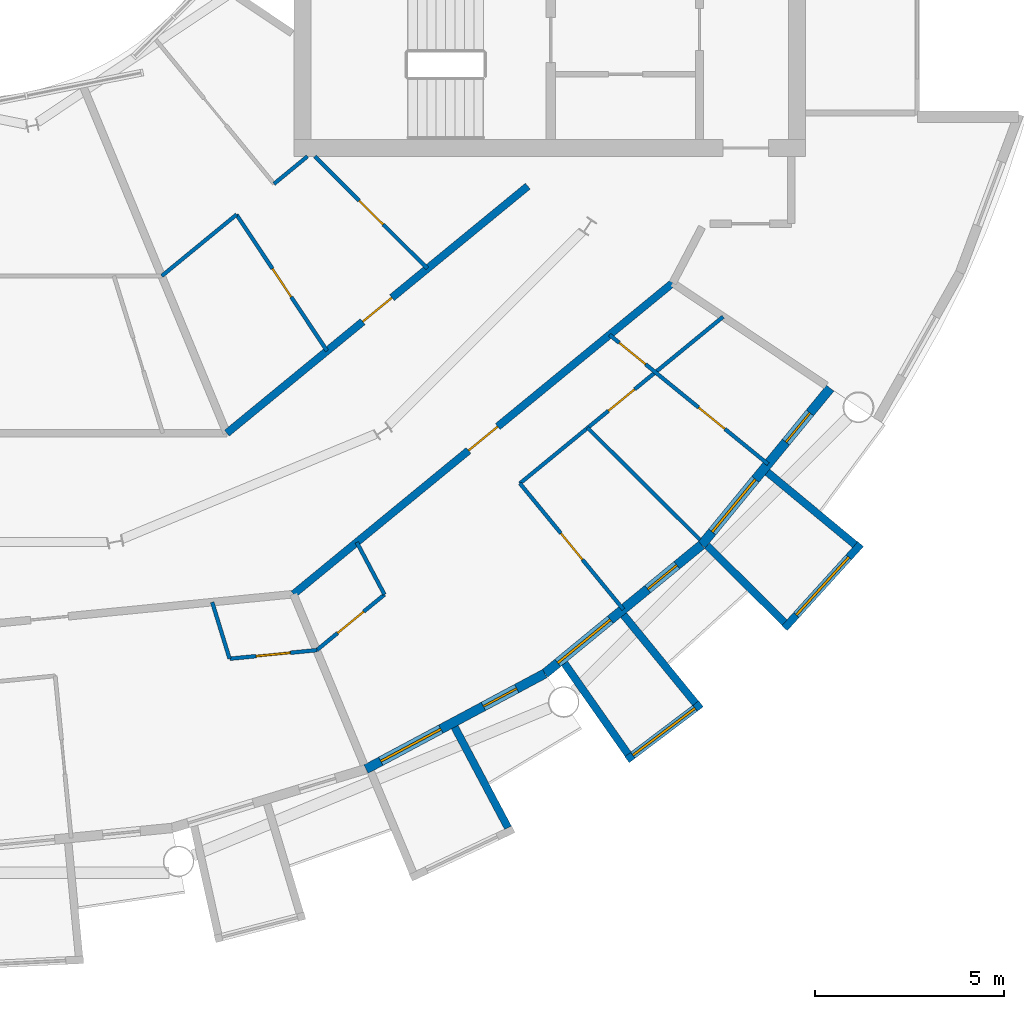
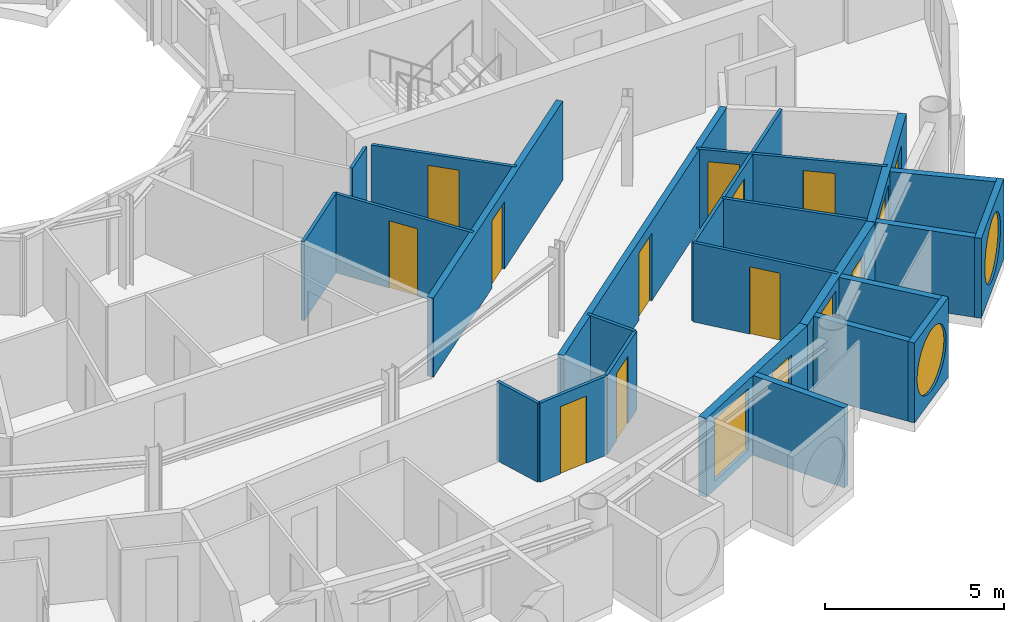
# One storey, part 18 of 29: 24 walls, 13 doors, 5 windows, 18 openings.
"""IFC4 building model written with IfcOpenShell, lengths in metres."""

from ifc_helpers import new_model, si_unit, direction, frame, frame_2d, origin, place, context, subcontext, project, spatial, rectangle, circle, extrude, material, layer, layer_set, type_object, element, fill, save


model = new_model("IFC4")

# Units and contexts
model_context = context("Model", 3, precision=1e-05, world=origin(), true_north=direction((0.0, 1.0)))
body_context = subcontext(model_context, "Body", "Model", "MODEL_VIEW")
ifc_project = project(units=[si_unit("LENGTHUNIT", "METRE"), si_unit("AREAUNIT", "SQUARE_METRE"), si_unit("VOLUMEUNIT", "CUBIC_METRE"), si_unit("PLANEANGLEUNIT", "RADIAN"), si_unit("MASSUNIT", "GRAM", prefix="KILO")], contexts=[model_context])

# Site, building, storey
site_placement = place(None, origin())
site = spatial("IfcSite", under=ifc_project, at=site_placement, CompositionType="ELEMENT")
building_placement = place(site_placement, origin())
building = spatial("IfcBuilding", under=site, at=building_placement, Name="Maasbend Ring Residences", CompositionType="ELEMENT")
storey_placement = place(building_placement, frame((0.0, 0.0, 205.449951171875)))
storey = spatial("IfcBuildingStorey", under=building, at=storey_placement, Name="L59", CompositionType="ELEMENT", Elevation=205.449951171875)

# Wall, opening, door
ifc_material_1 = material(Name="Concrete C30/37", Category="concrete")
ifc_layer_1 = layer(ifc_material_1, 0.199951171875)
ifc_layer_set_1 = layer_set([ifc_layer_1], Name="Concrete C30/37")
wall_type_1 = type_object("IfcWallType", Name="CORRIDOR WALL 200 CONCRETE", PredefinedType="PARTITIONING", material=ifc_layer_set_1)
wall_1_placement = place(storey_placement, frame((8.533935546875, -20.60302734375, 0.0), z_axis=(0.0, 0.0, 1.0), x_axis=(0.772983503654, 0.634426121056, 0.0)))
wall_1 = element("IfcWall", 1, at=wall_1_placement, inside=storey, type_object=wall_type_1, Name="U-L59-w016", PredefinedType="PARTITIONING", context=body_context, shape_type="SweptSolid", body=[
    extrude(rectangle(XDim=12.947265625, YDim=0.199951171875, at=frame_2d((6.4736328125, 0.0))), origin(), (0.0, 0.0, 1.0), 2.699951171875),
])
opening_1_placement = place(wall_1_placement, frame((5.97412109375, 0.0, 0.0)))
opening_1 = element("IfcOpeningElement", 2, at=opening_1_placement, cuts=wall_1, Name="Opening D-5949", PredefinedType="OPENING", context=body_context, shape_type="SweptSolid", body=[
    extrude(rectangle(XDim=1.0, YDim=2.300048828125, at=frame_2d((0.5, 1.14990234375))), frame((0.0, 0.10986328125, 0.0), z_axis=(0.0, -1.0, 0.0), x_axis=(1.0, 0.0, 0.0)), (0.0, 0.0, 1.0), 0.219970703125),
])
ifc_material_2 = material(Name="Timber, fire-rated, painted", Category="wood")
door_type_1 = type_object("IfcDoorType", Name="FLAT ENTRANCE DOOR 1000 X 2300 FIRE-RATED", OperationType="NOTDEFINED", PredefinedType="DOOR", material=ifc_material_2)
door_1_placement = place(opening_1_placement, origin())
door_1 = element("IfcDoor", 3, at=door_1_placement, inside=storey, type_object=door_type_1, Name="D-5949", OperationType="SINGLE_SWING_LEFT", OverallHeight=2.300048828125, OverallWidth=1.0, PredefinedType="DOOR", context=body_context, shape_type="SweptSolid", body=[
    extrude(rectangle(XDim=1.0, YDim=2.300048828125, at=frame_2d((0.5, 1.14990234375))), frame((0.0, 0.02490234375, 0.0), z_axis=(0.0, -1.0, 0.0), x_axis=(1.0, 0.0, 0.0)), (0.0, 0.0, 1.0), 0.050048828125),
])
fill(opening_1, door_1)

wall_2_placement = place(storey_placement, frame((6.77294921875, -16.35302734375, 0.0), z_axis=(0.0, 0.0, 1.0), x_axis=(0.773034536097, 0.634363938131, 0.0)))
wall_2 = element("IfcWall", 4, at=wall_2_placement, inside=storey, type_object=wall_type_1, Name="U-L59-w018", PredefinedType="PARTITIONING", context=body_context, shape_type="SweptSolid", body=[
    extrude(rectangle(XDim=10.276611328125, YDim=0.199951171875, at=frame_2d((5.13818359375, 0.0))), origin(), (0.0, 0.0, 1.0), 2.699951171875),
])
opening_2_placement = place(wall_2_placement, frame((4.637939453125, 0.0, 0.0)))
opening_2 = element("IfcOpeningElement", 5, at=opening_2_placement, cuts=wall_2, Name="Opening D-5964", PredefinedType="OPENING", context=body_context, shape_type="SweptSolid", body=[
    extrude(rectangle(XDim=1.0, YDim=2.300048828125, at=frame_2d((0.5, 1.14990234375))), frame((0.0, 0.10986328125, 0.0), z_axis=(0.0, -1.0, 0.0), x_axis=(1.0, 0.0, 0.0)), (0.0, 0.0, 1.0), 0.219970703125),
])
door_2_placement = place(opening_2_placement, origin())
door_2 = element("IfcDoor", 6, at=door_2_placement, inside=storey, type_object=door_type_1, Name="D-5964", OperationType="SINGLE_SWING_RIGHT", OverallHeight=2.300048828125, OverallWidth=1.0, PredefinedType="DOOR", context=body_context, shape_type="SweptSolid", body=[
    extrude(rectangle(XDim=1.0, YDim=2.300048828125, at=frame_2d((0.5, 1.14990234375))), frame((0.0, 0.02490234375, 0.0), z_axis=(0.0, -1.0, 0.0), x_axis=(1.0, 0.0, 0.0)), (0.0, 0.0, 1.0), 0.050048828125),
])
fill(opening_2, door_2)

# Wall
ifc_material_3 = material(Name="Pale anodised aluminium panel", Category="aluminium")
ifc_layer_2 = layer(ifc_material_3, 0.199951171875)
ifc_layer_set_2 = layer_set([ifc_layer_2], Name="EW-BOX")
wall_type_2 = type_object("IfcWallType", Name="EW-BOX", PredefinedType="SOLIDWALL", material=ifc_layer_set_2)
wall_3_placement = place(storey_placement, frame((12.787109375, -24.113037109375, -0.030029296875), z_axis=(0.0, 0.0, 1.0), x_axis=(0.468365282436, -0.883534924159, 0.0)))
element("IfcWall", 7, at=wall_3_placement, inside=storey, type_object=wall_type_2, Name="Box side wall S15 right", PredefinedType="SOLIDWALL", context=body_context, shape_type="SweptSolid", body=[
    extrude(rectangle(XDim=3.006103515625, YDim=0.199951171875, at=frame_2d((1.5029296875, 0.0))), origin(), (0.0, 0.0, 1.0), 2.72998046875),
])

# Wall, opening, window
wall_4_placement = place(storey_placement, frame((17.3369140625, -24.971923828125, -0.030029296875), z_axis=(0.0, 0.0, 1.0), x_axis=(0.797887588059, 0.602806268067, 0.0)))
wall_4 = element("IfcWall", 8, at=wall_4_placement, inside=storey, type_object=wall_type_2, Name="Box front S17", PredefinedType="SOLIDWALL", context=body_context, shape_type="SweptSolid", body=[
    extrude(rectangle(XDim=2.446533203125, YDim=0.199951171875, at=frame_2d((1.22314453125, 0.0))), origin(), (0.0, 0.0, 1.0), 2.72998046875),
])
opening_3_placement = place(wall_4_placement, frame((0.182861328125, 0.0, 0.330078125)))
opening_3 = element("IfcOpeningElement", 9, at=opening_3_placement, cuts=wall_4, Name="Opening W-RD", PredefinedType="OPENING", context=body_context, shape_type="SweptSolid", body=[
    extrude(circle(Radius=1.0400390625, at=frame_2d((1.0400390625, 1.0400390625))), frame((0.0, 0.10986328125, 0.0), z_axis=(0.0, -1.0, 0.0), x_axis=(1.0, 0.0, 0.0)), (0.0, 0.0, 1.0), 0.219970703125),
])
ifc_material_4 = material(Name="Aluminium and clear glass", Category="aluminium")
window_type_1 = type_object("IfcWindowType", Name="W-RD", PartitioningType="SINGLE_PANEL", PredefinedType="WINDOW", material=ifc_material_4)
window_1_placement = place(opening_3_placement, origin())
window_1 = element("IfcWindow", 10, at=window_1_placement, inside=storey, type_object=window_type_1, Name="Round window S17", OverallHeight=2.080078125, OverallWidth=2.080078125, PartitioningType="SINGLE_PANEL", PredefinedType="WINDOW", context=body_context, shape_type="SweptSolid", body=[
    extrude(circle(Radius=1.0400390625, at=frame_2d((1.0400390625, 1.0400390625))), frame((0.0, 0.030029296875, 0.0), z_axis=(0.0, -1.0, 0.0), x_axis=(1.0, 0.0, 0.0)), (0.0, 0.0, 1.0), 0.06005859375),
])
fill(opening_3, window_1)

# Walls
wall_5_placement = place(storey_placement, frame((15.68798828125, -22.43310546875, -0.030029296875), z_axis=(0.0, 0.0, 1.0), x_axis=(0.573260687834, -0.819373043115, 0.0)))
element("IfcWall", 11, at=wall_5_placement, inside=storey, type_object=wall_type_2, Name="Box side wall S17 left", PredefinedType="SOLIDWALL", context=body_context, shape_type="SweptSolid", body=[
    extrude(rectangle(XDim=2.92529296875, YDim=0.199951171875, at=frame_2d((1.462646484375, 0.0))), origin(), (0.0, 0.0, 1.0), 2.72998046875),
])
wall_6_placement = place(storey_placement, frame((17.24609375, -21.155029296875, -0.030029296875), z_axis=(0.0, 0.0, 1.0), x_axis=(0.631741648902, -0.775179004516, 0.0)))
element("IfcWall", 12, at=wall_6_placement, inside=storey, type_object=wall_type_2, Name="Box side wall S17 right", PredefinedType="SOLIDWALL", context=body_context, shape_type="SweptSolid", body=[
    extrude(rectangle(XDim=3.005859375, YDim=0.199951171875, at=frame_2d((1.5029296875, 0.0))), origin(), (0.0, 0.0, 1.0), 2.72998046875),
])

# Wall, opening, window
wall_7_placement = place(storey_placement, frame((21.492919921875, -21.5, -0.030029296875), z_axis=(0.0, 0.0, 1.0), x_axis=(0.671506829416, 0.740998365753, 0.0)))
wall_7 = element("IfcWall", 13, at=wall_7_placement, inside=storey, type_object=wall_type_2, Name="Box front S19", PredefinedType="SOLIDWALL", context=body_context, shape_type="SweptSolid", body=[
    extrude(rectangle(XDim=2.9931640625, YDim=0.199951171875, at=frame_2d((1.49658203125, 0.0))), origin(), (0.0, 0.0, 1.0), 2.72998046875),
])
opening_4_placement = place(wall_7_placement, frame((0.45654296875, 0.0, 0.330078125)))
opening_4 = element("IfcOpeningElement", 14, at=opening_4_placement, cuts=wall_7, Name="Opening W-RD", PredefinedType="OPENING", context=body_context, shape_type="SweptSolid", body=[
    extrude(circle(Radius=1.0400390625, at=frame_2d((1.0400390625, 1.0400390625))), frame((0.0, 0.10986328125, 0.0), z_axis=(0.0, -1.0, 0.0), x_axis=(1.0, 0.0, 0.0)), (0.0, 0.0, 1.0), 0.219970703125),
])
window_2_placement = place(opening_4_placement, origin())
window_2 = element("IfcWindow", 15, at=window_2_placement, inside=storey, type_object=window_type_1, Name="Round window S19", OverallHeight=2.080078125, OverallWidth=2.080078125, PartitioningType="SINGLE_PANEL", PredefinedType="WINDOW", context=body_context, shape_type="SweptSolid", body=[
    extrude(circle(Radius=1.0400390625, at=frame_2d((1.0400390625, 1.0400390625))), frame((0.0, 0.030029296875, 0.0), z_axis=(0.0, -1.0, 0.0), x_axis=(1.0, 0.0, 0.0)), (0.0, 0.0, 1.0), 0.06005859375),
])
fill(opening_4, window_2)

# Walls
wall_8_placement = place(storey_placement, frame((19.449951171875, -19.322998046875, -0.030029296875), z_axis=(0.0, 0.0, 1.0), x_axis=(0.709727076896, -0.704476739375, 0.0)))
element("IfcWall", 16, at=wall_8_placement, inside=storey, type_object=wall_type_2, Name="Box side wall S19 left", PredefinedType="SOLIDWALL", context=body_context, shape_type="SweptSolid", body=[
    extrude(rectangle(XDim=2.883056640625, YDim=0.199951171875, at=frame_2d((1.44140625, 0.0))), origin(), (0.0, 0.0, 1.0), 2.72998046875),
])
wall_9_placement = place(storey_placement, frame((21.041015625, -17.384033203125, -0.030029296875), z_axis=(0.0, 0.0, 1.0), x_axis=(0.770784861449, -0.63709551667, 0.0)))
element("IfcWall", 17, at=wall_9_placement, inside=storey, type_object=wall_type_2, Name="Box side wall S19 right", PredefinedType="SOLIDWALL", context=body_context, shape_type="SweptSolid", body=[
    extrude(rectangle(XDim=3.005859375, YDim=0.199951171875, at=frame_2d((1.5029296875, 0.0))), origin(), (0.0, 0.0, 1.0), 2.72998046875),
])

# Wall, openings, door, window
ifc_material_5 = material(Name="Aluminium clad insulated panel", Category="aluminium")
ifc_layer_3 = layer(ifc_material_5, 0.25)
ifc_layer_set_3 = layer_set([ifc_layer_3], Name="EW-GL")
wall_type_3 = type_object("IfcWallType", Name="EW-GL", PredefinedType="SOLIDWALL", material=ifc_layer_set_3)
wall_10_placement = place(storey_placement, frame((10.447021484375, -25.221923828125, 0.0), z_axis=(0.0, 0.0, 1.0), x_axis=(0.881915646801, 0.471407246368, 0.0)))
wall_10 = element("IfcWall", 18, at=wall_10_placement, inside=storey, type_object=wall_type_3, Name="External wall S08", PredefinedType="SOLIDWALL", context=body_context, shape_type="SweptSolid", body=[
    extrude(rectangle(XDim=5.35205078125, YDim=0.25, at=frame_2d((2.676025390625, 0.0))), origin(), (0.0, 0.0, 1.0), 2.699951171875),
])
opening_5_placement = place(wall_10_placement, frame((0.441162109375, 0.0, 0.300048828125)))
opening_5 = element("IfcOpeningElement", 19, at=opening_5_placement, cuts=wall_10, Name="Opening W-BX", PredefinedType="OPENING", context=body_context, shape_type="SweptSolid", body=[
    extrude(rectangle(XDim=1.800048828125, YDim=2.10009765625, at=frame_2d((0.89990234375, 1.050048828125))), frame((0.0, 0.135009765625, 0.0), z_axis=(0.0, -1.0, 0.0), x_axis=(1.0, 0.0, 0.0)), (0.0, 0.0, 1.0), 0.27001953125),
])
opening_6_placement = place(wall_10_placement, frame((3.510498046875, 0.0, 0.0)))
opening_6 = element("IfcOpeningElement", 20, at=opening_6_placement, cuts=wall_10, Name="Opening D-LG", PredefinedType="OPENING", context=body_context, shape_type="SweptSolid", body=[
    extrude(rectangle(XDim=1.0, YDim=2.199951171875, at=frame_2d((0.5, 1.10009765625))), frame((0.0, 0.135009765625, 0.0), z_axis=(0.0, -1.0, 0.0), x_axis=(1.0, 0.0, 0.0)), (0.0, 0.0, 1.0), 0.27001953125),
])
ifc_material_6 = material(Name="Aluminium and clear glass", Category="aluminium")
door_type_2 = type_object("IfcDoorType", Name="D-LG", OperationType="SINGLE_SWING_LEFT", PredefinedType="DOOR", material=ifc_material_6)
door_3_placement = place(opening_6_placement, origin())
door_3 = element("IfcDoor", 21, at=door_3_placement, inside=storey, type_object=door_type_2, Name="Loggia door S16", OperationType="SINGLE_SWING_LEFT", OverallHeight=2.199951171875, OverallWidth=1.0, PredefinedType="DOOR", context=body_context, shape_type="SweptSolid", body=[
    extrude(rectangle(XDim=1.0, YDim=2.199951171875, at=frame_2d((0.5, 1.10009765625))), frame((0.0, 0.02490234375, 0.0), z_axis=(0.0, -1.0, 0.0), x_axis=(1.0, 0.0, 0.0)), (0.0, 0.0, 1.0), 0.050048828125),
])
fill(opening_6, door_3)
ifc_material_7 = material(Name="Aluminium and clear glass", Category="aluminium")
window_type_2 = type_object("IfcWindowType", Name="W-BX", PartitioningType="DOUBLE_PANEL_VERTICAL", PredefinedType="WINDOW", material=ifc_material_7)
window_3_placement = place(opening_5_placement, origin())
window_3 = element("IfcWindow", 22, at=window_3_placement, inside=storey, type_object=window_type_2, Name="Window S15 room to box", OverallHeight=2.10009765625, OverallWidth=1.800048828125, PartitioningType="SINGLE_PANEL", PredefinedType="WINDOW", context=body_context, shape_type="SweptSolid", body=[
    extrude(rectangle(XDim=1.800048828125, YDim=2.10009765625, at=frame_2d((0.89990234375, 1.050048828125))), frame((0.0, 0.030029296875, 0.0), z_axis=(0.0, -1.0, 0.0), x_axis=(1.0, 0.0, 0.0)), (0.0, 0.0, 1.0), 0.06005859375),
])
fill(opening_5, window_3)

wall_11_placement = place(storey_placement, frame((15.1669921875, -22.698974609375, 0.0), z_axis=(0.0, 0.0, 1.0), x_axis=(0.773019449054, 0.634382322723, 0.0)))
wall_11 = element("IfcWall", 23, at=wall_11_placement, inside=storey, type_object=wall_type_3, Name="External wall S09", PredefinedType="SOLIDWALL", context=body_context, shape_type="SweptSolid", body=[
    extrude(rectangle(XDim=5.351806640625, YDim=0.25, at=frame_2d((2.67578125, 0.0))), origin(), (0.0, 0.0, 1.0), 2.699951171875),
])
opening_7_placement = place(wall_11_placement, frame((0.441162109375, 0.0, 0.300048828125)))
opening_7 = element("IfcOpeningElement", 24, at=opening_7_placement, cuts=wall_11, Name="Opening W-BX", PredefinedType="OPENING", context=body_context, shape_type="SweptSolid", body=[
    extrude(rectangle(XDim=1.800048828125, YDim=2.10009765625, at=frame_2d((0.89990234375, 1.050048828125))), frame((0.0, 0.135009765625, 0.0), z_axis=(0.0, -1.0, 0.0), x_axis=(1.0, 0.0, 0.0)), (0.0, 0.0, 1.0), 0.27001953125),
])
opening_8_placement = place(wall_11_placement, frame((3.510498046875, 0.0, 0.0)))
opening_8 = element("IfcOpeningElement", 25, at=opening_8_placement, cuts=wall_11, Name="Opening D-LG", PredefinedType="OPENING", context=body_context, shape_type="SweptSolid", body=[
    extrude(rectangle(XDim=1.0, YDim=2.199951171875, at=frame_2d((0.5, 1.10009765625))), frame((0.0, 0.135009765625, 0.0), z_axis=(0.0, -1.0, 0.0), x_axis=(1.0, 0.0, 0.0)), (0.0, 0.0, 1.0), 0.27001953125),
])
door_4_placement = place(opening_8_placement, origin())
door_4 = element("IfcDoor", 26, at=door_4_placement, inside=storey, type_object=door_type_2, Name="Loggia door S18", OperationType="SINGLE_SWING_LEFT", OverallHeight=2.199951171875, OverallWidth=1.0, PredefinedType="DOOR", context=body_context, shape_type="SweptSolid", body=[
    extrude(rectangle(XDim=1.0, YDim=2.199951171875, at=frame_2d((0.5, 1.10009765625))), frame((0.0, 0.02490234375, 0.0), z_axis=(0.0, -1.0, 0.0), x_axis=(1.0, 0.0, 0.0)), (0.0, 0.0, 1.0), 0.050048828125),
])
fill(opening_8, door_4)
window_4_placement = place(opening_7_placement, origin())
window_4 = element("IfcWindow", 27, at=window_4_placement, inside=storey, type_object=window_type_2, Name="Window S17 room to box", OverallHeight=2.10009765625, OverallWidth=1.800048828125, PartitioningType="SINGLE_PANEL", PredefinedType="WINDOW", context=body_context, shape_type="SweptSolid", body=[
    extrude(rectangle(XDim=1.800048828125, YDim=2.10009765625, at=frame_2d((0.89990234375, 1.050048828125))), frame((0.0, 0.030029296875, 0.0), z_axis=(0.0, -1.0, 0.0), x_axis=(1.0, 0.0, 0.0)), (0.0, 0.0, 1.0), 0.06005859375),
])
fill(opening_7, window_4)

wall_12_placement = place(storey_placement, frame((19.303955078125, -19.303955078125, 0.0), z_axis=(0.0, 0.0, 1.0), x_axis=(0.634382322723, 0.773019449054, 0.0)))
wall_12 = element("IfcWall", 28, at=wall_12_placement, inside=storey, type_object=wall_type_3, Name="External wall S10", PredefinedType="SOLIDWALL", context=body_context, shape_type="SweptSolid", body=[
    extrude(rectangle(XDim=5.351806640625, YDim=0.25, at=frame_2d((2.67578125, 0.0))), origin(), (0.0, 0.0, 1.0), 2.699951171875),
])
opening_9_placement = place(wall_12_placement, frame((0.441162109375, 0.0, 0.300048828125)))
opening_9 = element("IfcOpeningElement", 29, at=opening_9_placement, cuts=wall_12, Name="Opening W-BX", PredefinedType="OPENING", context=body_context, shape_type="SweptSolid", body=[
    extrude(rectangle(XDim=1.800048828125, YDim=2.10009765625, at=frame_2d((0.89990234375, 1.050048828125))), frame((0.0, 0.135009765625, 0.0), z_axis=(0.0, -1.0, 0.0), x_axis=(1.0, 0.0, 0.0)), (0.0, 0.0, 1.0), 0.27001953125),
])
opening_10_placement = place(wall_12_placement, frame((3.510498046875, 0.0, 0.0)))
opening_10 = element("IfcOpeningElement", 30, at=opening_10_placement, cuts=wall_12, Name="Opening D-LG", PredefinedType="OPENING", context=body_context, shape_type="SweptSolid", body=[
    extrude(rectangle(XDim=1.0, YDim=2.199951171875, at=frame_2d((0.5, 1.10009765625))), frame((0.0, 0.135009765625, 0.0), z_axis=(0.0, -1.0, 0.0), x_axis=(1.0, 0.0, 0.0)), (0.0, 0.0, 1.0), 0.27001953125),
])
door_5_placement = place(opening_10_placement, origin())
door_5 = element("IfcDoor", 31, at=door_5_placement, inside=storey, type_object=door_type_2, Name="Loggia door S20", OperationType="SINGLE_SWING_LEFT", OverallHeight=2.199951171875, OverallWidth=1.0, PredefinedType="DOOR", context=body_context, shape_type="SweptSolid", body=[
    extrude(rectangle(XDim=1.0, YDim=2.199951171875, at=frame_2d((0.5, 1.10009765625))), frame((0.0, 0.02490234375, 0.0), z_axis=(0.0, -1.0, 0.0), x_axis=(1.0, 0.0, 0.0)), (0.0, 0.0, 1.0), 0.050048828125),
])
fill(opening_10, door_5)
window_5_placement = place(opening_9_placement, origin())
window_5 = element("IfcWindow", 32, at=window_5_placement, inside=storey, type_object=window_type_2, Name="Window S19 room to box", OverallHeight=2.10009765625, OverallWidth=1.800048828125, PartitioningType="SINGLE_PANEL", PredefinedType="WINDOW", context=body_context, shape_type="SweptSolid", body=[
    extrude(rectangle(XDim=1.800048828125, YDim=2.10009765625, at=frame_2d((0.89990234375, 1.050048828125))), frame((0.0, 0.030029296875, 0.0), z_axis=(0.0, -1.0, 0.0), x_axis=(1.0, 0.0, 0.0)), (0.0, 0.0, 1.0), 0.06005859375),
])
fill(opening_9, window_5)

# Wall, opening, door
ifc_material_8 = material(Name="Gypsum board on steel studs", Category="steel")
ifc_layer_4 = layer(ifc_material_8, 0.10009765625)
ifc_layer_set_4 = layer_set([ifc_layer_4], Name="PARTITION 100 GYPSUM")
wall_type_4 = type_object("IfcWallType", Name="PARTITION 100 GYPSUM", PredefinedType="PARTITIONING", material=ifc_layer_set_4)
wall_13_placement = place(storey_placement, frame((6.85009765625, -22.30810546875, 0.0), z_axis=(0.0, 0.0, 1.0), x_axis=(0.995161915602, 0.098248469375, 0.0)))
wall_13 = element("IfcWall", 33, at=wall_13_placement, inside=storey, type_object=wall_type_4, Name="U-L59-w006", PredefinedType="PARTITIONING", context=body_context, shape_type="SweptSolid", body=[
    extrude(rectangle(XDim=2.31103515625, YDim=0.10009765625, at=frame_2d((1.155517578125, 0.0))), origin(), (0.0, 0.0, 1.0), 2.699951171875),
])
opening_11_placement = place(wall_13_placement, frame((0.700927734375, 0.0, 0.0)))
opening_11 = element("IfcOpeningElement", 34, at=opening_11_placement, cuts=wall_13, Name="Opening D-5944", PredefinedType="OPENING", context=body_context, shape_type="SweptSolid", body=[
    extrude(rectangle(XDim=0.89990234375, YDim=2.300048828125, at=frame_2d((0.449951171875, 1.14990234375))), frame((0.0, 0.06005859375, 0.0), z_axis=(0.0, -1.0, 0.0), x_axis=(1.0, 0.0, 0.0)), (0.0, 0.0, 1.0), 0.1201171875),
])
ifc_material_9 = material(Name="Timber, painted", Category="wood")
door_type_3 = type_object("IfcDoorType", Name="INTERNAL DOOR 900 X 2300", OperationType="NOTDEFINED", PredefinedType="DOOR", material=ifc_material_9)
door_6_placement = place(opening_11_placement, origin())
door_6 = element("IfcDoor", 35, at=door_6_placement, inside=storey, type_object=door_type_3, Name="D-5944", OperationType="SINGLE_SWING_LEFT", OverallHeight=2.300048828125, OverallWidth=0.89990234375, PredefinedType="DOOR", context=body_context, shape_type="SweptSolid", body=[
    extrude(rectangle(XDim=0.89990234375, YDim=2.300048828125, at=frame_2d((0.449951171875, 1.14990234375))), frame((0.0, 0.02490234375, 0.0), z_axis=(0.0, -1.0, 0.0), x_axis=(1.0, 0.0, 0.0)), (0.0, 0.0, 1.0), 0.050048828125),
])
fill(opening_11, door_6)

wall_14_placement = place(storey_placement, frame((9.14599609375, -22.0810546875, 0.0), z_axis=(0.0, 0.0, 1.0), x_axis=(0.773095932958, 0.634289112663, 0.0)))
wall_14 = element("IfcWall", 36, at=wall_14_placement, inside=storey, type_object=wall_type_4, Name="U-L59-w007", PredefinedType="PARTITIONING", context=body_context, shape_type="SweptSolid", body=[
    extrude(rectangle(XDim=2.31298828125, YDim=0.10009765625, at=frame_2d((1.156494140625, 0.0))), origin(), (0.0, 0.0, 1.0), 2.699951171875),
])
opening_12_placement = place(wall_14_placement, frame((0.7060546875, 0.0, 0.0)))
opening_12 = element("IfcOpeningElement", 37, at=opening_12_placement, cuts=wall_14, Name="Opening D-5950", PredefinedType="OPENING", context=body_context, shape_type="SweptSolid", body=[
    extrude(rectangle(XDim=0.89990234375, YDim=2.300048828125, at=frame_2d((0.449951171875, 1.14990234375))), frame((0.0, 0.06005859375, 0.0), z_axis=(0.0, -1.0, 0.0), x_axis=(1.0, 0.0, 0.0)), (0.0, 0.0, 1.0), 0.1201171875),
])
door_7_placement = place(opening_12_placement, origin())
door_7 = element("IfcDoor", 38, at=door_7_placement, inside=storey, type_object=door_type_3, Name="D-5950", OperationType="SINGLE_SWING_LEFT", OverallHeight=2.300048828125, OverallWidth=0.89990234375, PredefinedType="DOOR", context=body_context, shape_type="SweptSolid", body=[
    extrude(rectangle(XDim=0.89990234375, YDim=2.300048828125, at=frame_2d((0.449951171875, 1.14990234375))), frame((0.0, 0.02490234375, 0.0), z_axis=(0.0, -1.0, 0.0), x_axis=(1.0, 0.0, 0.0)), (0.0, 0.0, 1.0), 0.050048828125),
])
fill(opening_12, door_7)

wall_15_placement = place(storey_placement, frame((14.507080078125, -17.681884765625, 0.0), z_axis=(0.0, 0.0, 1.0), x_axis=(0.773143248755, 0.634231437966, 0.0)))
wall_15 = element("IfcWall", 39, at=wall_15_placement, inside=storey, type_object=wall_type_4, Name="U-L59-w008", PredefinedType="PARTITIONING", context=body_context, shape_type="SweptSolid", body=[
    extrude(rectangle(XDim=6.9404296875, YDim=0.10009765625, at=frame_2d((3.47021484375, 0.0))), origin(), (0.0, 0.0, 1.0), 2.699951171875),
])
opening_13_placement = place(wall_15_placement, frame((3.02099609375, 0.0, 0.0)))
opening_13 = element("IfcOpeningElement", 40, at=opening_13_placement, cuts=wall_15, Name="Opening D-5953", PredefinedType="OPENING", context=body_context, shape_type="SweptSolid", body=[
    extrude(rectangle(XDim=0.89990234375, YDim=2.300048828125, at=frame_2d((0.449951171875, 1.14990234375))), frame((0.0, 0.06005859375, 0.0), z_axis=(0.0, -1.0, 0.0), x_axis=(1.0, 0.0, 0.0)), (0.0, 0.0, 1.0), 0.1201171875),
])
door_8_placement = place(opening_13_placement, origin())
door_8 = element("IfcDoor", 41, at=door_8_placement, inside=storey, type_object=door_type_3, Name="D-5953", OperationType="SINGLE_SWING_RIGHT", OverallHeight=2.300048828125, OverallWidth=0.89990234375, PredefinedType="DOOR", context=body_context, shape_type="SweptSolid", body=[
    extrude(rectangle(XDim=0.89990234375, YDim=2.300048828125, at=frame_2d((0.449951171875, 1.14990234375))), frame((0.0, 0.02490234375, 0.0), z_axis=(0.0, -1.0, 0.0), x_axis=(1.0, 0.0, 0.0)), (0.0, 0.0, 1.0), 0.050048828125),
])
fill(opening_13, door_8)

# Walls
wall_16_placement = place(storey_placement, frame((5.054931640625, -12.2041015625, 0.0), z_axis=(0.0, 0.0, 1.0), x_axis=(0.772943675046, 0.634474645046, 0.0)))
element("IfcWall", 42, at=wall_16_placement, inside=storey, type_object=wall_type_4, Name="U-L59-w022", PredefinedType="PARTITIONING", context=body_context, shape_type="SweptSolid", body=[
    extrude(rectangle(XDim=2.556640625, YDim=0.10009765625, at=frame_2d((1.2783203125, 0.0))), origin(), (0.0, 0.0, 1.0), 2.699951171875),
])
wall_17_placement = place(storey_placement, frame((8.01708984375, -9.77294921875, 0.0), z_axis=(0.0, 0.0, 1.0), x_axis=(0.772786083133, 0.634666581534, 0.0)))
element("IfcWall", 43, at=wall_17_placement, inside=storey, type_object=wall_type_4, Name="U-L59-w023", PredefinedType="PARTITIONING", context=body_context, shape_type="SweptSolid", body=[
    extrude(rectangle(XDim=1.1435546875, YDim=0.10009765625, at=frame_2d((0.57177734375, 0.0))), origin(), (0.0, 0.0, 1.0), 2.699951171875),
])
wall_18_placement = place(storey_placement, frame((6.385986328125, -20.81396484375, 0.0), z_axis=(0.0, 0.0, 1.0), x_axis=(0.293866159639, -0.955846577762, 0.0)))
element("IfcWall", 44, at=wall_18_placement, inside=storey, type_object=wall_type_4, Name="U-L59-w034", PredefinedType="PARTITIONING", context=body_context, shape_type="SweptSolid", body=[
    extrude(rectangle(XDim=1.561767578125, YDim=0.10009765625, at=frame_2d((0.78076171875, 0.0))), origin(), (0.0, 0.0, 1.0), 2.699951171875),
])

# Wall, opening, door
wall_19_placement = place(storey_placement, frame((7.028076171875, -10.583984375, 0.0), z_axis=(0.0, 0.0, 1.0), x_axis=(0.553303732327, -0.832979579457, 0.0)))
wall_19 = element("IfcWall", 45, at=wall_19_placement, inside=storey, type_object=wall_type_4, Name="U-L59-w075", PredefinedType="PARTITIONING", context=body_context, shape_type="SweptSolid", body=[
    extrude(rectangle(XDim=4.3193359375, YDim=0.10009765625, at=frame_2d((2.15966796875, 0.0))), origin(), (0.0, 0.0, 1.0), 2.699951171875),
])
opening_14_placement = place(wall_19_placement, frame((1.7099609375, 0.0, 0.0)))
opening_14 = element("IfcOpeningElement", 46, at=opening_14_placement, cuts=wall_19, Name="Opening D-5965", PredefinedType="OPENING", context=body_context, shape_type="SweptSolid", body=[
    extrude(rectangle(XDim=0.89990234375, YDim=2.300048828125, at=frame_2d((0.449951171875, 1.14990234375))), frame((0.0, 0.06005859375, 0.0), z_axis=(0.0, -1.0, 0.0), x_axis=(1.0, 0.0, 0.0)), (0.0, 0.0, 1.0), 0.1201171875),
])
door_9_placement = place(opening_14_placement, origin())
door_9 = element("IfcDoor", 47, at=door_9_placement, inside=storey, type_object=door_type_3, Name="D-5965", OperationType="SINGLE_SWING_LEFT", OverallHeight=2.300048828125, OverallWidth=0.89990234375, PredefinedType="DOOR", context=body_context, shape_type="SweptSolid", body=[
    extrude(rectangle(XDim=0.89990234375, YDim=2.300048828125, at=frame_2d((0.449951171875, 1.14990234375))), frame((0.0, 0.02490234375, 0.0), z_axis=(0.0, -1.0, 0.0), x_axis=(1.0, 0.0, 0.0)), (0.0, 0.0, 1.0), 0.050048828125),
])
fill(opening_14, door_9)

wall_20_placement = place(storey_placement, frame((9.095947265625, -9.051025390625, 0.0), z_axis=(0.0, 0.0, 1.0), x_axis=(0.708909651863, -0.705299302067, 0.0)))
wall_20 = element("IfcWall", 48, at=wall_20_placement, inside=storey, type_object=wall_type_4, Name="U-L59-w078", PredefinedType="PARTITIONING", context=body_context, shape_type="SweptSolid", body=[
    extrude(rectangle(XDim=4.192626953125, YDim=0.10009765625, at=frame_2d((2.09619140625, 0.0))), origin(), (0.0, 0.0, 1.0), 2.699951171875),
])
opening_15_placement = place(wall_20_placement, frame((1.64599609375, 0.0, 0.0)))
opening_15 = element("IfcOpeningElement", 49, at=opening_15_placement, cuts=wall_20, Name="Opening D-5966", PredefinedType="OPENING", context=body_context, shape_type="SweptSolid", body=[
    extrude(rectangle(XDim=0.89990234375, YDim=2.300048828125, at=frame_2d((0.449951171875, 1.14990234375))), frame((0.0, 0.06005859375, 0.0), z_axis=(0.0, -1.0, 0.0), x_axis=(1.0, 0.0, 0.0)), (0.0, 0.0, 1.0), 0.1201171875),
])
door_10_placement = place(opening_15_placement, origin())
door_10 = element("IfcDoor", 50, at=door_10_placement, inside=storey, type_object=door_type_3, Name="D-5966", OperationType="SINGLE_SWING_RIGHT", OverallHeight=2.300048828125, OverallWidth=0.89990234375, PredefinedType="DOOR", context=body_context, shape_type="SweptSolid", body=[
    extrude(rectangle(XDim=0.89990234375, YDim=2.300048828125, at=frame_2d((0.449951171875, 1.14990234375))), frame((0.0, 0.02490234375, 0.0), z_axis=(0.0, -1.0, 0.0), x_axis=(1.0, 0.0, 0.0)), (0.0, 0.0, 1.0), 0.050048828125),
])
fill(opening_15, door_10)

# Wall
wall_21_placement = place(storey_placement, frame((10.201904296875, -19.23388671875, 0.0), z_axis=(0.0, 0.0, 1.0), x_axis=(0.468648615763, -0.88338466986, 0.0)))
element("IfcWall", 51, at=wall_21_placement, inside=storey, type_object=wall_type_4, Name="U-L59-w079", PredefinedType="PARTITIONING", context=body_context, shape_type="SweptSolid", body=[
    extrude(rectangle(XDim=1.562255859375, YDim=0.10009765625, at=frame_2d((0.78125, 0.0))), origin(), (0.0, 0.0, 1.0), 2.699951171875),
])

# Wall, opening, door
wall_22_placement = place(storey_placement, frame((14.509033203125, -17.678955078125, 0.0), z_axis=(0.0, 0.0, 1.0), x_axis=(0.634342681687, -0.77305197897, 0.0)))
wall_22 = element("IfcWall", 52, at=wall_22_placement, inside=storey, type_object=wall_type_4, Name="U-L59-w083", PredefinedType="PARTITIONING", context=body_context, shape_type="SweptSolid", body=[
    extrude(rectangle(XDim=4.30517578125, YDim=0.10009765625, at=frame_2d((2.152587890625, 0.0))), origin(), (0.0, 0.0, 1.0), 2.699951171875),
])
opening_16_placement = place(wall_22_placement, frame((1.702880859375, 0.0, 0.0)))
opening_16 = element("IfcOpeningElement", 53, at=opening_16_placement, cuts=wall_22, Name="Opening D-5952", PredefinedType="OPENING", context=body_context, shape_type="SweptSolid", body=[
    extrude(rectangle(XDim=0.89990234375, YDim=2.300048828125, at=frame_2d((0.449951171875, 1.14990234375))), frame((0.0, 0.06005859375, 0.0), z_axis=(0.0, -1.0, 0.0), x_axis=(1.0, 0.0, 0.0)), (0.0, 0.0, 1.0), 0.1201171875),
])
door_11_placement = place(opening_16_placement, origin())
door_11 = element("IfcDoor", 54, at=door_11_placement, inside=storey, type_object=door_type_3, Name="D-5952", OperationType="SINGLE_SWING_RIGHT", OverallHeight=2.300048828125, OverallWidth=0.89990234375, PredefinedType="DOOR", context=body_context, shape_type="SweptSolid", body=[
    extrude(rectangle(XDim=0.89990234375, YDim=2.300048828125, at=frame_2d((0.449951171875, 1.14990234375))), frame((0.0, 0.02490234375, 0.0), z_axis=(0.0, -1.0, 0.0), x_axis=(1.0, 0.0, 0.0)), (0.0, 0.0, 1.0), 0.050048828125),
])
fill(opening_16, door_11)

# Wall
wall_23_placement = place(storey_placement, frame((16.294921875, -16.214111328125, 0.0), z_axis=(0.0, 0.0, 1.0), x_axis=(0.709028177231, -0.705180149956, 0.0)))
element("IfcWall", 55, at=wall_23_placement, inside=storey, type_object=wall_type_4, Name="U-L59-w084", PredefinedType="PARTITIONING", context=body_context, shape_type="SweptSolid", body=[
    extrude(rectangle(XDim=4.1875, YDim=0.10009765625, at=frame_2d((2.09375, 0.0))), origin(), (0.0, 0.0, 1.0), 2.699951171875),
])

# Wall, openings, doors
wall_24_placement = place(storey_placement, frame((16.8740234375, -13.758056640625, 0.0), z_axis=(0.0, 0.0, 1.0), x_axis=(0.774926754572, -0.632051046236, 0.0)))
wall_24 = element("IfcWall", 56, at=wall_24_placement, inside=storey, type_object=wall_type_4, Name="U-L59-w086", PredefinedType="PARTITIONING", context=body_context, shape_type="SweptSolid", body=[
    extrude(rectangle(XDim=5.403076171875, YDim=0.10009765625, at=frame_2d((2.70166015625, 0.0))), origin(), (0.0, 0.0, 1.0), 2.699951171875),
])
opening_17_placement = place(wall_24_placement, frame((0.3310546875, 0.0, 0.0)))
opening_17 = element("IfcOpeningElement", 57, at=opening_17_placement, cuts=wall_24, Name="Opening D-5951", PredefinedType="OPENING", context=body_context, shape_type="SweptSolid", body=[
    extrude(rectangle(XDim=0.89990234375, YDim=2.300048828125, at=frame_2d((0.449951171875, 1.14990234375))), frame((0.0, 0.06005859375, 0.0), z_axis=(0.0, -1.0, 0.0), x_axis=(1.0, 0.0, 0.0)), (0.0, 0.0, 1.0), 0.1201171875),
])
opening_18_placement = place(wall_24_placement, frame((3.031982421875, 0.0, 0.0)))
opening_18 = element("IfcOpeningElement", 58, at=opening_18_placement, cuts=wall_24, Name="Opening D-5954", PredefinedType="OPENING", context=body_context, shape_type="SweptSolid", body=[
    extrude(rectangle(XDim=0.89990234375, YDim=2.300048828125, at=frame_2d((0.449951171875, 1.14990234375))), frame((0.0, 0.06005859375, 0.0), z_axis=(0.0, -1.0, 0.0), x_axis=(1.0, 0.0, 0.0)), (0.0, 0.0, 1.0), 0.1201171875),
])
door_12_placement = place(opening_17_placement, origin())
door_12 = element("IfcDoor", 59, at=door_12_placement, inside=storey, type_object=door_type_3, Name="D-5951", OperationType="SINGLE_SWING_LEFT", OverallHeight=2.300048828125, OverallWidth=0.89990234375, PredefinedType="DOOR", context=body_context, shape_type="SweptSolid", body=[
    extrude(rectangle(XDim=0.89990234375, YDim=2.300048828125, at=frame_2d((0.449951171875, 1.14990234375))), frame((0.0, 0.02490234375, 0.0), z_axis=(0.0, -1.0, 0.0), x_axis=(1.0, 0.0, 0.0)), (0.0, 0.0, 1.0), 0.050048828125),
])
fill(opening_17, door_12)
door_13_placement = place(opening_18_placement, origin())
door_13 = element("IfcDoor", 60, at=door_13_placement, inside=storey, type_object=door_type_3, Name="D-5954", OperationType="SINGLE_SWING_RIGHT", OverallHeight=2.300048828125, OverallWidth=0.89990234375, PredefinedType="DOOR", context=body_context, shape_type="SweptSolid", body=[
    extrude(rectangle(XDim=0.89990234375, YDim=2.300048828125, at=frame_2d((0.449951171875, 1.14990234375))), frame((0.0, 0.02490234375, 0.0), z_axis=(0.0, -1.0, 0.0), x_axis=(1.0, 0.0, 0.0)), (0.0, 0.0, 1.0), 0.050048828125),
])
fill(opening_18, door_13)

save(model, "model.ifc")
